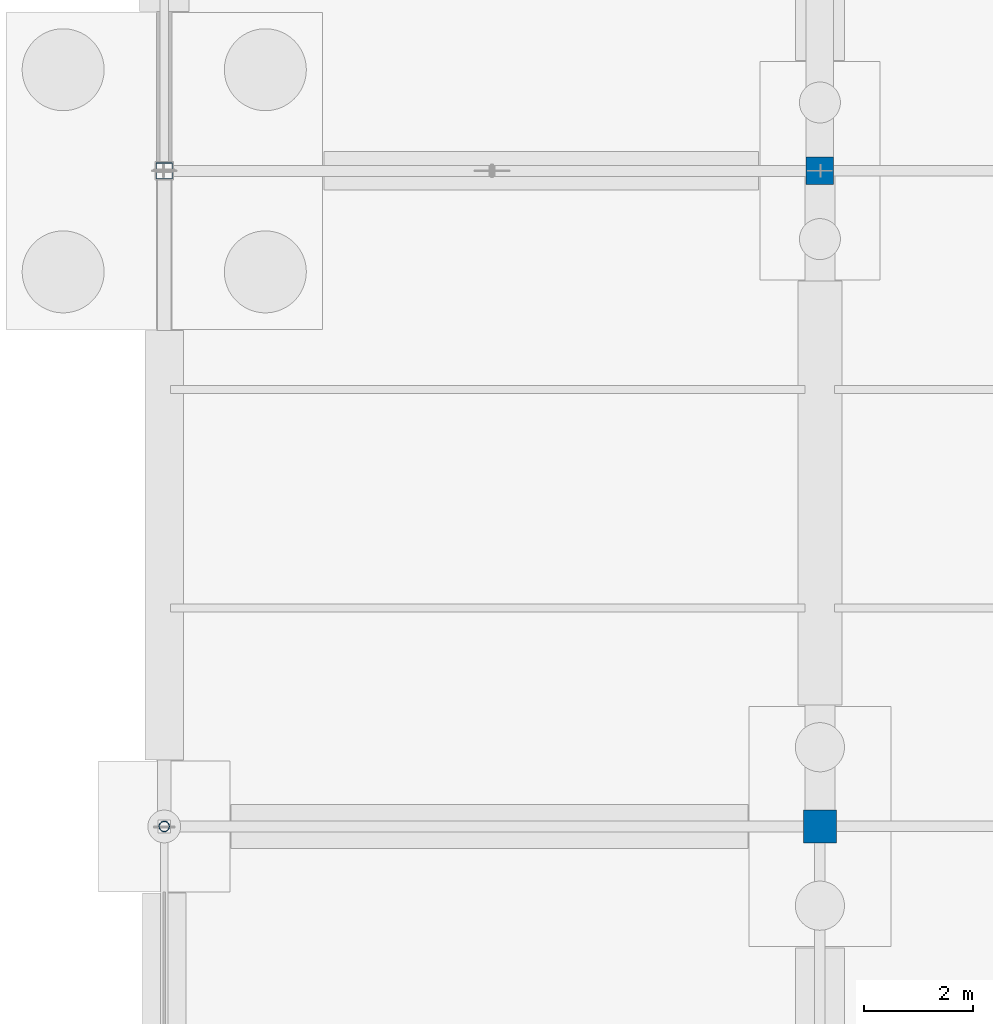
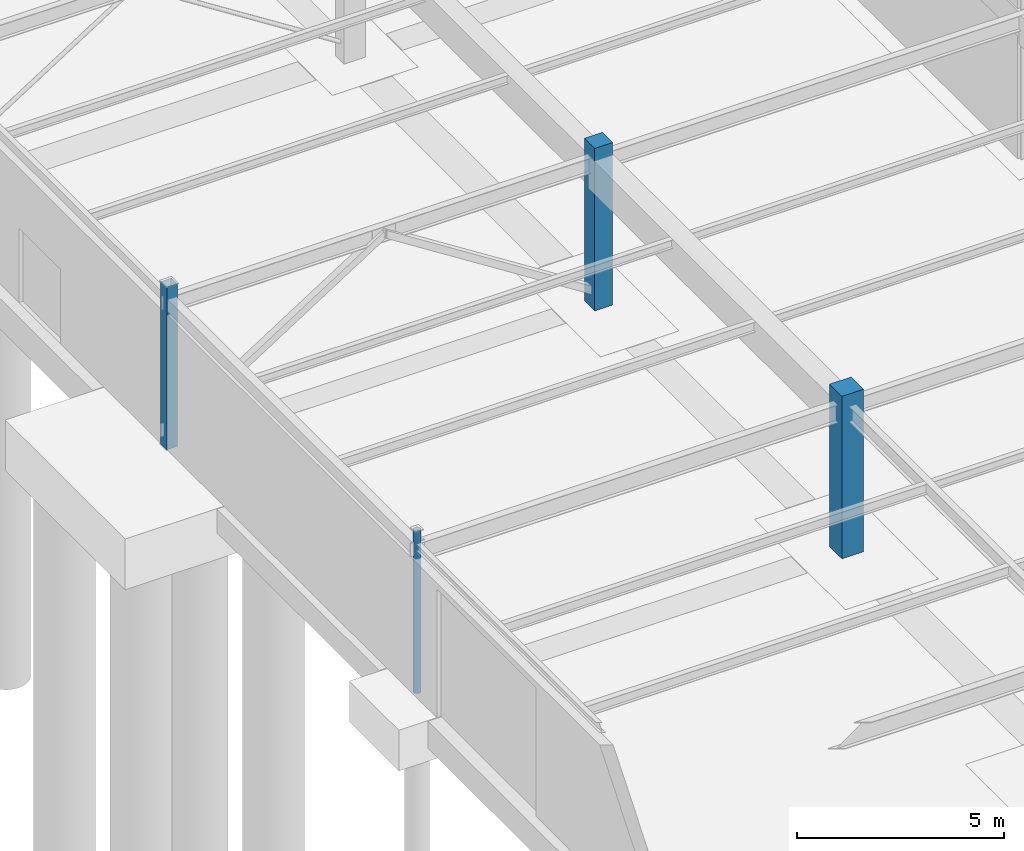
# One storey, part 28 of 136: 4 columns.
"""IFC4 building model written with IfcOpenShell, lengths in metres."""

import ifcopenshell
import ifcopenshell.guid

model = None  # the IFC model being written
_history = None  # IfcOwnerHistory: only IFC2X3 demands one
_inside = {}  # id of a spatial element -> (the spatial element, [elements in it])
_under = {}  # id of a project, library or spatial element -> (it, [spatial elements below it])
_declared = {}  # id of a project -> (the project, [libraries it declares])
_typed = {}  # id of a type object -> (the type object, [elements of that type])
_made_of = {}  # id of a material, layer set ... -> (it, [elements and type objects made of it])


def new_model(schema):
    """Start an empty IFC model of exactly this schema.

    Asked for "IFC4X3", IfcOpenShell would pick the latest addendum, in which some entities
    have other attributes; the version numbers below select the first issue.
    IFC2X3 requires an IfcOwnerHistory on every rooted entity: one is made here for all.
    """
    global model, _history
    if schema == "IFC4X3":
        model = ifcopenshell.file(schema_version=(4, 3, 0, 0))
    else:
        model = ifcopenshell.file(schema=schema)
    _inside.clear()
    _under.clear()
    _declared.clear()
    _typed.clear()
    _made_of.clear()
    _history = None
    if model.schema == "IFC2X3":
        org = make("IfcOrganization", Name="unknown")
        user = make(
            "IfcPersonAndOrganization",
            ThePerson=make("IfcPerson", FamilyName="unknown"),
            TheOrganization=org,
        )
        app = make(
            "IfcApplication",
            ApplicationDeveloper=org,
            Version="unknown",
            ApplicationFullName="unknown",
            ApplicationIdentifier="unknown",
        )
        _history = make(
            "IfcOwnerHistory",
            OwningUser=user,
            OwningApplication=app,
            ChangeAction="ADDED",
            CreationDate=0,
        )
    return model


def make(cls, **values):
    """One entity of the class cls with the attributes given. An attribute that is None is left unset."""
    return model.create_entity(
        cls, **{name: value for name, value in values.items() if value is not None}
    )


def rooted(cls, **values):
    """An entity with a GlobalId (a new one), such as an element, a storey or a relation."""
    return make(cls, GlobalId=ifcopenshell.guid.new(), OwnerHistory=_history, **values)


def si_unit(unit_type, name, prefix=None):
    """IfcSIUnit, for example si_unit("LENGTHUNIT", "METRE", prefix="MILLI")."""
    return make("IfcSIUnit", UnitType=unit_type, Prefix=prefix, Name=name)


def assignment(units):
    """IfcUnitAssignment: the units of a project."""
    return None if units is None else make("IfcUnitAssignment", Units=units)


def point(xyz):
    """IfcCartesianPoint."""
    return None if xyz is None else make("IfcCartesianPoint", Coordinates=xyz)


def direction(xyz):
    """IfcDirection."""
    return None if xyz is None else make("IfcDirection", DirectionRatios=xyz)


def frame(location, z_axis=None, x_axis=None):
    """IfcAxis2Placement3D, a coordinate frame: its origin and axes. An axis left out is left unset."""
    return make(
        "IfcAxis2Placement3D",
        Location=point(location),
        Axis=direction(z_axis),
        RefDirection=direction(x_axis),
    )


def frame_2d(location, x_axis=None):
    """IfcAxis2Placement2D, a coordinate frame in the plane: its origin and x axis."""
    return make(
        "IfcAxis2Placement2D", Location=point(location), RefDirection=direction(x_axis)
    )


def origin():
    """The frame at (0, 0, 0) with its axes left unset."""
    return frame((0.0, 0.0, 0.0))


def origin_2d():
    """The frame at (0, 0) in the plane with its x axis left unset."""
    return frame_2d((0.0, 0.0))


def place(relative_to, where):
    """IfcLocalPlacement: puts the frame where relative to a parent placement (None: the world)."""
    return make(
        "IfcLocalPlacement", PlacementRelTo=relative_to, RelativePlacement=where
    )


def context(
    kind, dimensions, precision=None, world=None, true_north=None, identifier=None
):
    """IfcGeometricRepresentationContext, for example the 3D "Model" context."""
    return make(
        "IfcGeometricRepresentationContext",
        ContextIdentifier=identifier,
        ContextType=kind,
        CoordinateSpaceDimension=dimensions,
        Precision=precision,
        WorldCoordinateSystem=world,
        TrueNorth=true_north,
    )


def subcontext(parent, identifier, kind, view, scale=None):
    """IfcGeometricRepresentationSubContext, for example "Body" below "Model"."""
    return make(
        "IfcGeometricRepresentationSubContext",
        ContextIdentifier=identifier,
        ContextType=kind,
        ParentContext=parent,
        TargetScale=scale,
        TargetView=view,
    )


def project(units=None, contexts=None):
    """IfcProject with its units and contexts."""
    return rooted(
        "IfcProject",
        Name="project",
        RepresentationContexts=contexts,
        UnitsInContext=assignment(units),
    )


def spatial(cls, under=None, at=None, **own):
    """A site, building, storey or space (cls), placed at a placement, below another one or the project."""
    s = rooted(cls, ObjectPlacement=at, **own)
    if under is not None:
        _under.setdefault(under.id(), (under, []))[1].append(s)
    return s


def profile(cls, at=None, kind="AREA", **sizes):
    """A parametric profile (cls). Its sizes go by their IFC names, for example OverallWidth=200.0."""
    return make(cls, ProfileType=kind, Position=at, **sizes)


def rectangle(**sizes):
    """IfcRectangleProfileDef."""
    return profile("IfcRectangleProfileDef", **sizes)


def hollow_rectangle(**sizes):
    """IfcRectangleHollowProfileDef."""
    return profile("IfcRectangleHollowProfileDef", **sizes)


def hollow_circle(**sizes):
    """IfcCircleHollowProfileDef."""
    return profile("IfcCircleHollowProfileDef", **sizes)


def extrude(swept, where, along, depth):
    """IfcExtrudedAreaSolid: the profile swept, set in the frame where, extruded along a direction by depth."""
    return make(
        "IfcExtrudedAreaSolid",
        SweptArea=swept,
        Position=where,
        ExtrudedDirection=direction(along),
        Depth=depth,
    )


def shape(context_of_items, identifier, shape_type, items):
    """IfcShapeRepresentation: the items that make up one representation, for example the "Body"."""
    return make(
        "IfcShapeRepresentation",
        ContextOfItems=context_of_items,
        RepresentationIdentifier=identifier,
        RepresentationType=shape_type,
        Items=items,
    )


def material(Name=None, Category=None):
    """IfcMaterial."""
    return make("IfcMaterial", Name=Name, Category=Category)


def material_profile(
    of_material, cross_section, Name=None, Category=None, Priority=None
):
    """IfcMaterialProfile: a cross section and its material."""
    return make(
        "IfcMaterialProfile",
        Name=Name,
        Material=of_material,
        Profile=cross_section,
        Priority=Priority,
        Category=Category,
    )


def profile_set(profiles, Name=None, composite=None):
    """IfcMaterialProfileSet."""
    return make(
        "IfcMaterialProfileSet",
        Name=Name,
        MaterialProfiles=profiles,
        CompositeProfile=composite,
    )


def made_of(thing, what):
    """Note that an element or type object is made of a material, layer set ...; save() writes the relation."""
    if what is not None:
        _made_of.setdefault(what.id(), (what, []))[1].append(thing)
    return thing


def type_object(cls, material=None, **own):
    """A type object (cls), such as IfcWallType, which elements share."""
    return made_of(rooted(cls, **own), material)


def element(
    cls,
    number,
    at=None,
    inside=None,
    cuts=None,
    type_object=None,
    material=None,
    context=None,
    identifier="Body",
    shape_type=None,
    held_by="IfcProductDefinitionShape",
    body=None,
    shapes=None,
    **own,
):
    """One element of the class cls, such as IfcWall. Its Tag is "e" and its number.

    at: its placement. inside: the storey or other place that contains it. cuts: it is an
    opening in that element (IfcRelVoidsElement). A single representation is given by context,
    identifier, shape_type and body (its items); several are given by shapes. held_by: the class
    of the entity that holds the representations. save() writes the other relations.
    """
    e = rooted(cls, Tag="e%d" % number, ObjectPlacement=at, **own)
    if body is not None:
        shapes = [shape(context, identifier, shape_type, body)]
    if shapes is not None:
        e.Representation = make(held_by, Representations=shapes)
    if inside is not None:
        _inside.setdefault(inside.id(), (inside, []))[1].append(e)
    if cuts is not None:
        rooted(
            "IfcRelVoidsElement", RelatingBuildingElement=cuts, RelatedOpeningElement=e
        )
    if type_object is not None:
        _typed.setdefault(type_object.id(), (type_object, []))[1].append(e)
    return made_of(e, material)


def aggregate(whole, parts):
    """IfcRelAggregates: a whole, such as a stair, and the parts it consists of."""
    return rooted("IfcRelAggregates", RelatingObject=whole, RelatedObjects=parts)


def save(model, path):
    """Write the relations noted so far, then the file.

    IfcRelAggregates (storeys below a building ...), IfcRelContainedInSpatialStructure (elements
    in a storey), IfcRelDefinesByType, IfcRelAssociatesMaterial and IfcRelDeclares: one each for
    every whole, place, type object, material and project.
    """
    for whole, parts in _under.values():
        aggregate(whole, parts)
    for where, things in _inside.values():
        rooted(
            "IfcRelContainedInSpatialStructure",
            RelatedElements=things,
            RelatingStructure=where,
        )
    for kind, things in _typed.values():
        rooted("IfcRelDefinesByType", RelatedObjects=things, RelatingType=kind)
    for what, things in _made_of.values():
        rooted("IfcRelAssociatesMaterial", RelatedObjects=things, RelatingMaterial=what)
    for by, libraries in _declared.values():
        rooted("IfcRelDeclares", RelatingContext=by, RelatedDefinitions=libraries)
    model.write(path)


model = new_model("IFC4")

# Units and contexts
model_context = context("Model", 3, precision=1e-05, world=origin(), true_north=direction((0.0, 1.0)))
body_context = subcontext(model_context, "Body", "Model", "MODEL_VIEW")
ifc_project = project(units=[si_unit("LENGTHUNIT", "METRE"), si_unit("AREAUNIT", "SQUARE_METRE"), si_unit("VOLUMEUNIT", "CUBIC_METRE"), si_unit("PLANEANGLEUNIT", "RADIAN"), si_unit("MASSUNIT", "GRAM", prefix="KILO")], contexts=[model_context])

# Site, building, storey
site_placement = place(None, origin())
site = spatial("IfcSite", under=ifc_project, at=site_placement, CompositionType="ELEMENT")
building_placement = place(site_placement, origin())
building = spatial("IfcBuilding", under=site, at=building_placement, Name="Tarnwether General Hospital", CompositionType="ELEMENT")
storey_placement = place(building_placement, frame((0.0, 0.0, -4.800048828125)))
storey = spatial("IfcBuildingStorey", under=building, at=storey_placement, Name="LG", CompositionType="ELEMENT", Elevation=-4.800048828125)

# Columns
ifc_material_1 = material(Name="Concrete 50 MPa", Category="concrete")
ifc_material_profile_1 = material_profile(ifc_material_1, rectangle(XDim=0.60009765625, YDim=0.60009765625, at=origin_2d()), Name="RC-COL-600x600")
ifc_profile_set_1 = profile_set([ifc_material_profile_1], Name="Concrete 50 MPa")
column_type_1 = type_object("IfcColumnType", Name="COL-19", PredefinedType="COLUMN", material=ifc_profile_set_1)
column_1_placement = place(storey_placement, frame((12.0, 69.60009765625, 0.0), z_axis=(0.0, 0.0, 1.0), x_axis=(0.0, 1.0, 0.0)))
element("IfcColumn", 1, at=column_1_placement, inside=storey, type_object=column_type_1, Name="Column COLG-LG-1200_6960", PredefinedType="COLUMN", context=body_context, shape_type="SweptSolid", body=[
    extrude(rectangle(XDim=0.60009765625, YDim=0.60009765625, at=origin_2d()), origin(), (0.0, 0.0, 1.0), 4.800048828125),
])
ifc_material_2 = material(Name="Concrete 50 MPa", Category="concrete")
ifc_material_profile_2 = material_profile(ifc_material_2, rectangle(XDim=0.5, YDim=0.5, at=origin_2d()), Name="RC-COL-500x500")
ifc_profile_set_2 = profile_set([ifc_material_profile_2], Name="Concrete 50 MPa")
column_type_2 = type_object("IfcColumnType", Name="COL-20", PredefinedType="COLUMN", material=ifc_profile_set_2)
column_2_placement = place(storey_placement, frame((12.0, 81.60009765625, 0.0), z_axis=(0.0, 0.0, 1.0), x_axis=(0.0, 1.0, 0.0)))
element("IfcColumn", 2, at=column_2_placement, inside=storey, type_object=column_type_2, Name="Column COLG-LG-1200_8160", PredefinedType="COLUMN", context=body_context, shape_type="SweptSolid", body=[
    extrude(rectangle(XDim=0.5, YDim=0.5, at=origin_2d()), origin(), (0.0, 0.0, 1.0), 4.800048828125),
])
ifc_material_3 = material(Name="Steel Grade C350L0 (350 MPa)", Category="steel")
ifc_material_profile_3 = material_profile(ifc_material_3, hollow_circle(Radius=0.096923828125, WallThickness=0.008056640625, at=origin_2d()), Name="CHS193.7x8.0")
ifc_profile_set_3 = profile_set([ifc_material_profile_3], Name="Steel Grade C350L0 (350 MPa)")
column_type_3 = type_object("IfcColumnType", Name="COL-29", PredefinedType="COLUMN", material=ifc_profile_set_3)
column_3_placement = place(storey_placement, frame((0.0, 69.60009765625, 0.0), z_axis=(0.0, 0.0, 1.0), x_axis=(1.0, 0.0, 0.0)))
element("IfcColumn", 3, at=column_3_placement, inside=storey, type_object=column_type_3, Name="Column COLG-LG-0_6960", PredefinedType="COLUMN", context=body_context, shape_type="SweptSolid", body=[
    extrude(hollow_circle(Radius=0.096923828125, WallThickness=0.008056640625, at=origin_2d()), origin(), (0.0, 0.0, 1.0), 4.800048828125),
])
ifc_material_4 = material(Name="Steel Grade C350L0 (350 MPa)", Category="steel")
ifc_material_profile_4 = material_profile(ifc_material_4, hollow_rectangle(XDim=0.300048828125, YDim=0.300048828125, WallThickness=0.012451171875, at=origin_2d()), Name="SHS300x300x12.5")
ifc_profile_set_4 = profile_set([ifc_material_profile_4], Name="Steel Grade C350L0 (350 MPa)")
column_type_4 = type_object("IfcColumnType", Name="COL-30", PredefinedType="COLUMN", material=ifc_profile_set_4)
column_4_placement = place(storey_placement, frame((0.0, 81.60009765625, 0.0), z_axis=(0.0, 0.0, 1.0), x_axis=(1.0, 0.0, 0.0)))
element("IfcColumn", 4, at=column_4_placement, inside=storey, type_object=column_type_4, Name="Column COLG-LG-0_8160", PredefinedType="COLUMN", context=body_context, shape_type="SweptSolid", body=[
    extrude(hollow_rectangle(XDim=0.300048828125, YDim=0.300048828125, WallThickness=0.012451171875, at=origin_2d()), origin(), (0.0, 0.0, 1.0), 4.800048828125),
])

save(model, "model.ifc")
